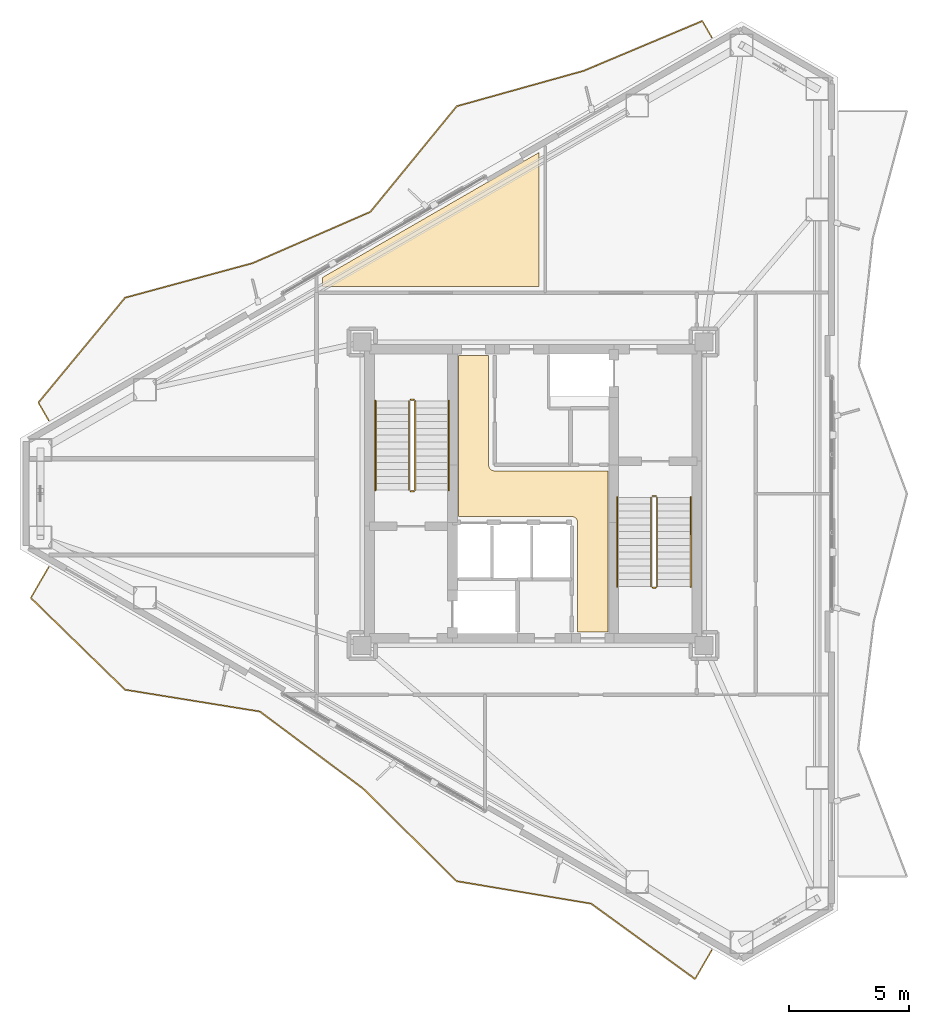
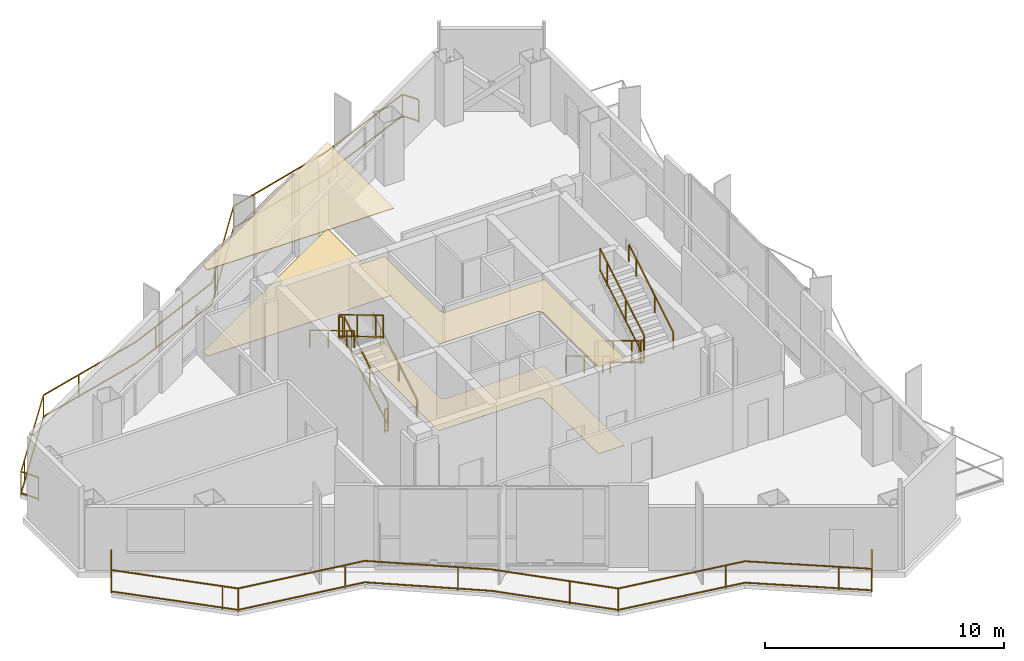
# One storey, part 17 of 18: 14 railings, 4 coverings.
"""IFC4 building model written with IfcOpenShell, lengths in metres."""

from ifc_helpers import new_model, si_unit, direction, frame, origin, origin_2d, place, context, subcontext, project, spatial, polyline, rectangle, outline, extrude, material, layer, layer_set, type_object, element, save


model = new_model("IFC4")

# Units and contexts
model_context = context("Model", 3, precision=1e-05, world=origin(), true_north=direction((0.0, 1.0)))
body_context = subcontext(model_context, "Body", "Model", "MODEL_VIEW")
ifc_project = project(units=[si_unit("LENGTHUNIT", "METRE"), si_unit("AREAUNIT", "SQUARE_METRE"), si_unit("VOLUMEUNIT", "CUBIC_METRE"), si_unit("PLANEANGLEUNIT", "RADIAN"), si_unit("MASSUNIT", "GRAM", prefix="KILO")], contexts=[model_context])

# Site, building, storey
site_placement = place(None, origin())
site = spatial("IfcSite", under=ifc_project, at=site_placement, CompositionType="ELEMENT")
building_placement = place(site_placement, origin())
building = spatial("IfcBuilding", under=site, at=building_placement, Name="Mersakhor Tower and Convention Hall", CompositionType="ELEMENT")
storey_placement = place(building_placement, frame((0.0, 0.0, 170.699951171875)))
storey = spatial("IfcBuildingStorey", under=building, at=storey_placement, Name="L47", CompositionType="ELEMENT", Elevation=170.699951171875)

# Coverings
ifc_material_1 = material(Name="Acoustic mineral-fibre suspended ceiling", Category="other")
ifc_layer_1 = layer(ifc_material_1, 0.02490234375)
ifc_layer_set_1 = layer_set([ifc_layer_1], Name="Acoustic mineral-fibre suspended ceiling")
covering_type_1 = type_object("IfcCoveringType", Name="COV-CLG-25", PredefinedType="CEILING", material=ifc_layer_set_1)
covering_1_placement = place(storey_placement, frame((0.0, 0.0, 4.41015625)))
element("IfcCovering", 1, at=covering_1_placement, inside=storey, type_object=covering_type_1, Name="L47 Central Passenger Lift Lobby Acoustic Suspended Ceiling", PredefinedType="CEILING", context=body_context, shape_type="SweptSolid", body=[
    extrude(outline(polyline([(30.85009765625, 21.0), (30.85009765625, 25.550048828125), (30.848876953125, 25.574462890625), (30.84521484375, 25.598876953125), (30.839111328125, 25.62255859375), (30.8310546875, 25.645751953125), (30.820556640625, 25.667724609375), (30.807861328125, 25.68896484375), (30.793212890625, 25.70849609375), (30.77685546875, 25.726806640625), (30.758544921875, 25.743408203125), (30.739013671875, 25.7578125), (30.7177734375, 25.7705078125), (30.69580078125, 25.781005859375), (30.672607421875, 25.789306640625), (30.648681640625, 25.795166015625), (30.62451171875, 25.798828125), (30.60009765625, 25.800048828125), (25.89990234375, 25.800048828125), (25.89990234375, 32.5), (27.14990234375, 32.5), (27.14990234375, 27.949951171875), (27.151123046875, 27.925537109375), (27.15478515625, 27.901123046875), (27.160888671875, 27.87744140625), (27.1689453125, 27.854248046875), (27.179443359375, 27.832275390625), (27.192138671875, 27.81103515625), (27.206787109375, 27.79150390625), (27.22314453125, 27.773193359375), (27.241455078125, 27.756591796875), (27.260986328125, 27.7421875), (27.2822265625, 27.7294921875), (27.30419921875, 27.718994140625), (27.327392578125, 27.710693359375), (27.351318359375, 27.704833984375), (27.37548828125, 27.701171875), (27.39990234375, 27.699951171875), (32.10009765625, 27.699951171875), (32.10009765625, 21.0), (30.85009765625, 21.0)])), origin(), (0.0, 0.0, 1.0), 0.02490234375),
])
covering_2_placement = place(storey_placement, frame((0.0, 0.0, 4.41015625)))
element("IfcCovering", 2, at=covering_2_placement, inside=storey, type_object=covering_type_1, Name="L47 Zone 3 Community Assembly Hall Acoustic Suspended Ceiling", PredefinedType="CEILING", context=body_context, shape_type="SweptSolid", body=[
    extrude(outline(polyline([(29.25, 35.35009765625), (20.25, 35.35009765625), (20.25, 35.732666015625), (29.25, 40.927978515625), (29.25, 35.35009765625)])), origin(), (0.0, 0.0, 1.0), 0.02490234375),
])
ifc_material_2 = material(Name="Polished porcelain tile flooring", Category="other")
ifc_layer_2 = layer(ifc_material_2, 0.02001953125)
ifc_layer_set_2 = layer_set([ifc_layer_2], Name="Polished porcelain tile flooring")
covering_type_2 = type_object("IfcCoveringType", Name="COV-FLR-20", PredefinedType="FLOORING", material=ifc_layer_set_2)
covering_3_placement = place(storey_placement, origin())
element("IfcCovering", 3, at=covering_3_placement, inside=storey, type_object=covering_type_2, Name="L47 Central Passenger Lift Lobby Porcelain Floor Finish", PredefinedType="FLOORING", context=body_context, shape_type="SweptSolid", body=[
    extrude(outline(polyline([(30.85009765625, 21.0), (30.85009765625, 25.550048828125), (30.848876953125, 25.574462890625), (30.84521484375, 25.598876953125), (30.839111328125, 25.62255859375), (30.8310546875, 25.645751953125), (30.820556640625, 25.667724609375), (30.807861328125, 25.68896484375), (30.793212890625, 25.70849609375), (30.77685546875, 25.726806640625), (30.758544921875, 25.743408203125), (30.739013671875, 25.7578125), (30.7177734375, 25.7705078125), (30.69580078125, 25.781005859375), (30.672607421875, 25.789306640625), (30.648681640625, 25.795166015625), (30.62451171875, 25.798828125), (30.60009765625, 25.800048828125), (25.89990234375, 25.800048828125), (25.89990234375, 32.5), (27.14990234375, 32.5), (27.14990234375, 27.949951171875), (27.151123046875, 27.925537109375), (27.15478515625, 27.901123046875), (27.160888671875, 27.87744140625), (27.1689453125, 27.854248046875), (27.179443359375, 27.832275390625), (27.192138671875, 27.81103515625), (27.206787109375, 27.79150390625), (27.22314453125, 27.773193359375), (27.241455078125, 27.756591796875), (27.260986328125, 27.7421875), (27.2822265625, 27.7294921875), (27.30419921875, 27.718994140625), (27.327392578125, 27.710693359375), (27.351318359375, 27.704833984375), (27.37548828125, 27.701171875), (27.39990234375, 27.699951171875), (32.10009765625, 27.699951171875), (32.10009765625, 21.0), (30.85009765625, 21.0)])), origin(), (0.0, 0.0, 1.0), 0.02001953125),
])
covering_4_placement = place(storey_placement, origin())
element("IfcCovering", 4, at=covering_4_placement, inside=storey, type_object=covering_type_2, Name="L47 Zone 3 Community Assembly Hall Porcelain Floor Finish", PredefinedType="FLOORING", context=body_context, shape_type="SweptSolid", body=[
    extrude(outline(polyline([(29.25, 35.35009765625), (20.25, 35.35009765625), (20.25, 35.732666015625), (29.25, 40.927978515625), (29.25, 35.35009765625)])), origin(), (0.0, 0.0, 1.0), 0.02001953125),
])

# Railings
ifc_material_3 = material(Name="Powder-coated galvanised steel and laminated glass balustrade", Category="steel")
railing_type_1 = type_object("IfcRailingType", Name="RL-BAL-1200", PredefinedType="BALUSTRADE", material=ifc_material_3)
railing_1_placement = place(storey_placement, frame((36.4248046875, 45.705810546875, 0.0)))
element("IfcRailing", 5, at=railing_1_placement, inside=storey, type_object=railing_type_1, Name="L47 Sinusoidal Balcony Balustrade F1", PredefinedType="BALUSTRADE", context=body_context, shape_type="SweptSolid", body=[
    extrude(rectangle(XDim=0.048095703125, YDim=0.048095703125, at=origin_2d()), frame((0.0, 0.0, 1.17578125), z_axis=(-0.499919935369, 0.866071624186, 0.0), x_axis=(-0.866071624186, -0.499919935369, 0.0)), (0.0, 0.0, 1.0), 0.784912109375),
    extrude(rectangle(XDim=0.048095703125, YDim=0.048095703125, at=origin_2d()), frame((0.0, 0.0, 0.080078125), z_axis=(-0.499919935369, 0.866071624186, 0.0), x_axis=(-0.866071624186, -0.499919935369, 0.0)), (0.0, 0.0, 1.0), 0.784912109375),
    extrude(rectangle(XDim=0.048095703125, YDim=0.048095703125, at=origin_2d()), frame((-0.392333984375, 0.6796875, 1.17578125), z_axis=(-0.922079265206, -0.387001070641, 0.0), x_axis=(0.387001070641, -0.922079265206, 0.0)), (0.0, 0.0, 1.0), 5.34521484375),
    extrude(rectangle(XDim=0.048095703125, YDim=0.048095703125, at=origin_2d()), frame((-0.392333984375, 0.6796875, 0.080078125), z_axis=(-0.922079265206, -0.387001070641, 0.0), x_axis=(0.387001070641, -0.922079265206, 0.0)), (0.0, 0.0, 1.0), 5.34521484375),
    extrude(rectangle(XDim=0.048095703125, YDim=0.048095703125, at=origin_2d()), frame((-5.321044921875, -1.388916015625, 1.17578125), z_axis=(-0.96319522735, -0.268802816225, 0.0), x_axis=(0.268802816225, -0.96319522735, 0.0)), (0.0, 0.0, 1.0), 5.474853515625),
    extrude(rectangle(XDim=0.048095703125, YDim=0.048095703125, at=origin_2d()), frame((-5.321044921875, -1.388916015625, 0.080078125), z_axis=(-0.96319522735, -0.268802816225, 0.0), x_axis=(0.268802816225, -0.96319522735, 0.0)), (0.0, 0.0, 1.0), 5.474853515625),
    extrude(rectangle(XDim=0.048095703125, YDim=0.048095703125, at=origin_2d()), frame((-10.594482421875, -2.860595703125, 1.17578125), z_axis=(-0.633087693008, -0.77408008175, 0.0), x_axis=(0.77408008175, -0.633087693008, 0.0)), (0.0, 0.0, 1.0), 5.669189453125),
    extrude(rectangle(XDim=0.048095703125, YDim=0.048095703125, at=origin_2d()), frame((-10.594482421875, -2.860595703125, 0.080078125), z_axis=(-0.633087693008, -0.77408008175, 0.0), x_axis=(0.77408008175, -0.633087693008, 0.0)), (0.0, 0.0, 1.0), 5.669189453125),
    extrude(rectangle(XDim=0.048095703125, YDim=0.048095703125, at=origin_2d()), frame((-14.18359375, -7.2490234375, 1.17578125), z_axis=(-0.916826965755, -0.39928475411, 0.0), x_axis=(0.39928475411, -0.916826965755, 0.0)), (0.0, 0.0, 1.0), 5.336669921875),
    extrude(rectangle(XDim=0.048095703125, YDim=0.048095703125, at=origin_2d()), frame((-14.18359375, -7.2490234375, 0.080078125), z_axis=(-0.916826965755, -0.39928475411, 0.0), x_axis=(0.39928475411, -0.916826965755, 0.0)), (0.0, 0.0, 1.0), 5.336669921875),
    extrude(rectangle(XDim=0.048095703125, YDim=0.048095703125, at=origin_2d()), frame((-19.076416015625, -9.3798828125, 1.17578125), z_axis=(-0.965198993623, -0.261516543853, 0.0), x_axis=(0.261516543853, -0.965198993623, 0.0)), (0.0, 0.0, 1.0), 5.485595703125),
    extrude(rectangle(XDim=0.048095703125, YDim=0.048095703125, at=origin_2d()), frame((-19.076416015625, -9.3798828125, 0.080078125), z_axis=(-0.965198993623, -0.261516543853, 0.0), x_axis=(0.261516543853, -0.965198993623, 0.0)), (0.0, 0.0, 1.0), 5.485595703125),
    extrude(rectangle(XDim=0.048095703125, YDim=0.048095703125, at=origin_2d()), frame((-24.37109375, -10.814453125, 1.17578125), z_axis=(-0.636970638285, -0.770888063186, 0.0), x_axis=(0.770888063186, -0.636970638285, 0.0)), (0.0, 0.0, 1.0), 5.65869140625),
    extrude(rectangle(XDim=0.048095703125, YDim=0.048095703125, at=origin_2d()), frame((-24.37109375, -10.814453125, 0.080078125), z_axis=(-0.636970638285, -0.770888063186, 0.0), x_axis=(0.770888063186, -0.636970638285, 0.0)), (0.0, 0.0, 1.0), 5.65869140625),
    extrude(rectangle(XDim=0.048095703125, YDim=0.048095703125, at=origin_2d()), frame((-27.9755859375, -15.1767578125, 1.17578125), z_axis=(0.499964420222, -0.866045944804, 0.0), x_axis=(0.866045944804, 0.499964420222, 0.0)), (0.0, 0.0, 1.0), 0.84423828125),
    extrude(rectangle(XDim=0.048095703125, YDim=0.048095703125, at=origin_2d()), frame((-27.9755859375, -15.1767578125, 0.080078125), z_axis=(0.499964420222, -0.866045944804, 0.0), x_axis=(0.866045944804, 0.499964420222, 0.0)), (0.0, 0.0, 1.0), 0.84423828125),
    extrude(rectangle(XDim=0.0419921875, YDim=0.0419921875, at=origin_2d()), origin(), (0.0, 0.0, 1.0), 1.15185546875),
    extrude(rectangle(XDim=0.0419921875, YDim=0.0419921875, at=origin_2d()), frame((-0.392333984375, 0.6796875, 0.0)), (0.0, 0.0, 1.0), 1.15185546875),
    extrude(rectangle(XDim=0.0419921875, YDim=0.0419921875, at=origin_2d()), frame((-4.818359375, -1.177978515625, 0.0)), (0.0, 0.0, 1.0), 1.15185546875),
    extrude(rectangle(XDim=0.0419921875, YDim=0.0419921875, at=origin_2d()), frame((-9.419189453125, -2.53271484375, 0.0)), (0.0, 0.0, 1.0), 1.15185546875),
    extrude(rectangle(XDim=0.0419921875, YDim=0.0419921875, at=origin_2d()), frame((-10.594482421875, -2.860595703125, 0.0)), (0.0, 0.0, 1.0), 1.15185546875),
    extrude(rectangle(XDim=0.0419921875, YDim=0.0419921875, at=origin_2d()), frame((-13.63330078125, -6.576171875, 0.0)), (0.0, 0.0, 1.0), 1.15185546875),
    extrude(rectangle(XDim=0.0419921875, YDim=0.0419921875, at=origin_2d()), frame((-17.787353515625, -8.818603515625, 0.0)), (0.0, 0.0, 1.0), 1.15185546875),
    extrude(rectangle(XDim=0.0419921875, YDim=0.0419921875, at=origin_2d()), frame((-22.352294921875, -10.267578125, 0.0)), (0.0, 0.0, 1.0), 1.15185546875),
    extrude(rectangle(XDim=0.0419921875, YDim=0.0419921875, at=origin_2d()), frame((-24.37109375, -10.814453125, 0.0)), (0.0, 0.0, 1.0), 1.15185546875),
    extrude(rectangle(XDim=0.0419921875, YDim=0.0419921875, at=origin_2d()), frame((-27.428466796875, -14.5146484375, 0.0)), (0.0, 0.0, 1.0), 1.15185546875),
    extrude(rectangle(XDim=0.0419921875, YDim=0.0419921875, at=origin_2d()), frame((-27.9755859375, -15.1767578125, 0.0)), (0.0, 0.0, 1.0), 1.15185546875),
    extrude(rectangle(XDim=0.0419921875, YDim=0.0419921875, at=origin_2d()), frame((-27.553466796875, -15.907958984375, 0.0)), (0.0, 0.0, 1.0), 1.15185546875),
])
railing_2_placement = place(storey_placement, frame((8.871337890625, 23.7021484375, 0.0)))
element("IfcRailing", 6, at=railing_2_placement, inside=storey, type_object=railing_type_1, Name="L47 Sinusoidal Balcony Balustrade F3", PredefinedType="BALUSTRADE", context=body_context, shape_type="SweptSolid", body=[
    extrude(rectangle(XDim=0.048095703125, YDim=0.048095703125, at=origin_2d()), frame((0.0, 0.0, 1.17578125), z_axis=(-0.500081384739, -0.865978411185, 0.0), x_axis=(0.865978411185, -0.500081384739, 0.0)), (0.0, 0.0, 1.0), 1.471923828125),
    extrude(rectangle(XDim=0.048095703125, YDim=0.048095703125, at=origin_2d()), frame((0.0, 0.0, 0.080078125), z_axis=(-0.500081384739, -0.865978411185, 0.0), x_axis=(0.865978411185, -0.500081384739, 0.0)), (0.0, 0.0, 1.0), 1.471923828125),
    extrude(rectangle(XDim=0.048095703125, YDim=0.048095703125, at=origin_2d()), frame((-0.736083984375, -1.274658203125, 1.17578125), z_axis=(0.71615066715, -0.697945715611, 0.0), x_axis=(0.697945715611, 0.71615066715, 0.0)), (0.0, 0.0, 1.0), 5.471435546875),
    extrude(rectangle(XDim=0.048095703125, YDim=0.048095703125, at=origin_2d()), frame((-0.736083984375, -1.274658203125, 0.080078125), z_axis=(0.71615066715, -0.697945715611, 0.0), x_axis=(0.697945715611, 0.71615066715, 0.0)), (0.0, 0.0, 1.0), 5.471435546875),
    extrude(rectangle(XDim=0.048095703125, YDim=0.048095703125, at=origin_2d()), frame((3.182373046875, -5.093505859375, 1.17578125), z_axis=(0.987177972105, -0.159623467545, 0.0), x_axis=(0.159623467545, 0.987177972105, 0.0)), (0.0, 0.0, 1.0), 5.6728515625),
    extrude(rectangle(XDim=0.048095703125, YDim=0.048095703125, at=origin_2d()), frame((3.182373046875, -5.093505859375, 0.080078125), z_axis=(0.987177972105, -0.159623467545, 0.0), x_axis=(0.159623467545, 0.987177972105, 0.0)), (0.0, 0.0, 1.0), 5.6728515625),
    extrude(rectangle(XDim=0.048095703125, YDim=0.048095703125, at=origin_2d()), frame((8.782470703125, -5.9990234375, 1.17578125), z_axis=(0.801544645631, -0.597934930457, 0.0), x_axis=(0.597934930457, 0.801544645631, 0.0)), (0.0, 0.0, 1.0), 5.33935546875),
    extrude(rectangle(XDim=0.048095703125, YDim=0.048095703125, at=origin_2d()), frame((8.782470703125, -5.9990234375, 0.080078125), z_axis=(0.801544645631, -0.597934930457, 0.0), x_axis=(0.597934930457, 0.801544645631, 0.0)), (0.0, 0.0, 1.0), 5.33935546875),
    extrude(rectangle(XDim=0.048095703125, YDim=0.048095703125, at=origin_2d()), frame((13.062255859375, -9.191650390625, 1.17578125), z_axis=(0.710837902727, -0.703355867287, 0.0), x_axis=(0.703355867287, 0.710837902727, 0.0)), (0.0, 0.0, 1.0), 5.48193359375),
    extrude(rectangle(XDim=0.048095703125, YDim=0.048095703125, at=origin_2d()), frame((13.062255859375, -9.191650390625, 0.080078125), z_axis=(0.710837902727, -0.703355867287, 0.0), x_axis=(0.703355867287, 0.710837902727, 0.0)), (0.0, 0.0, 1.0), 5.48193359375),
    extrude(rectangle(XDim=0.048095703125, YDim=0.048095703125, at=origin_2d()), frame((16.958984375, -13.04736328125, 1.17578125), z_axis=(0.98637177408, -0.164531830655, 0.0), x_axis=(0.164531830655, 0.98637177408, 0.0)), (0.0, 0.0, 1.0), 5.662353515625),
    extrude(rectangle(XDim=0.048095703125, YDim=0.048095703125, at=origin_2d()), frame((16.958984375, -13.04736328125, 0.080078125), z_axis=(0.98637177408, -0.164531830655, 0.0), x_axis=(0.164531830655, 0.98637177408, 0.0)), (0.0, 0.0, 1.0), 5.662353515625),
    extrude(rectangle(XDim=0.048095703125, YDim=0.048095703125, at=origin_2d()), frame((22.544189453125, -13.97900390625, 1.17578125), z_axis=(0.809535358892, -0.587071122355, 0.0), x_axis=(0.587071122355, 0.809535358892, 0.0)), (0.0, 0.0, 1.0), 5.331298828125),
    extrude(rectangle(XDim=0.048095703125, YDim=0.048095703125, at=origin_2d()), frame((22.544189453125, -13.97900390625, 0.080078125), z_axis=(0.809535358892, -0.587071122355, 0.0), x_axis=(0.587071122355, 0.809535358892, 0.0)), (0.0, 0.0, 1.0), 5.331298828125),
    extrude(rectangle(XDim=0.048095703125, YDim=0.048095703125, at=origin_2d()), frame((26.860107421875, -17.10888671875, 1.17578125), z_axis=(0.500001852011, 0.866024334523, 0.0), x_axis=(-0.866024334523, 0.500001852011, 0.0)), (0.0, 0.0, 1.0), 1.38671875),
    extrude(rectangle(XDim=0.048095703125, YDim=0.048095703125, at=origin_2d()), frame((26.860107421875, -17.10888671875, 0.080078125), z_axis=(0.500001852011, 0.866024334523, 0.0), x_axis=(-0.866024334523, 0.500001852011, 0.0)), (0.0, 0.0, 1.0), 1.38671875),
    extrude(rectangle(XDim=0.0419921875, YDim=0.0419921875, at=origin_2d()), origin(), (0.0, 0.0, 1.0), 1.15185546875),
    extrude(rectangle(XDim=0.0419921875, YDim=0.0419921875, at=origin_2d()), frame((-0.736083984375, -1.274658203125, 0.0)), (0.0, 0.0, 1.0), 1.15185546875),
    extrude(rectangle(XDim=0.0419921875, YDim=0.0419921875, at=origin_2d()), frame((2.701416015625, -4.624755859375, 0.0)), (0.0, 0.0, 1.0), 1.15185546875),
    extrude(rectangle(XDim=0.0419921875, YDim=0.0419921875, at=origin_2d()), frame((3.182373046875, -5.093505859375, 0.0)), (0.0, 0.0, 1.0), 1.15185546875),
    extrude(rectangle(XDim=0.0419921875, YDim=0.0419921875, at=origin_2d()), frame((7.9208984375, -5.859619140625, 0.0)), (0.0, 0.0, 1.0), 1.15185546875),
    extrude(rectangle(XDim=0.0419921875, YDim=0.0419921875, at=origin_2d()), frame((11.93017578125, -8.34716796875, 0.0)), (0.0, 0.0, 1.0), 1.15185546875),
    extrude(rectangle(XDim=0.0419921875, YDim=0.0419921875, at=origin_2d()), frame((15.470458984375, -11.574462890625, 0.0)), (0.0, 0.0, 1.0), 1.15185546875),
    extrude(rectangle(XDim=0.0419921875, YDim=0.0419921875, at=origin_2d()), frame((16.958984375, -13.04736328125, 0.0)), (0.0, 0.0, 1.0), 1.15185546875),
    extrude(rectangle(XDim=0.0419921875, YDim=0.0419921875, at=origin_2d()), frame((21.693603515625, -13.837158203125, 0.0)), (0.0, 0.0, 1.0), 1.15185546875),
    extrude(rectangle(XDim=0.0419921875, YDim=0.0419921875, at=origin_2d()), frame((25.73193359375, -16.290771484375, 0.0)), (0.0, 0.0, 1.0), 1.15185546875),
    extrude(rectangle(XDim=0.0419921875, YDim=0.0419921875, at=origin_2d()), frame((26.860107421875, -17.10888671875, 0.0)), (0.0, 0.0, 1.0), 1.15185546875),
    extrude(rectangle(XDim=0.0419921875, YDim=0.0419921875, at=origin_2d()), frame((27.553466796875, -15.907958984375, 0.0)), (0.0, 0.0, 1.0), 1.15185546875),
])
ifc_material_4 = material(Name="Brushed stainless steel handrail", Category="steel")
railing_type_2 = type_object("IfcRailingType", Name="RL-HR-900", PredefinedType="HANDRAIL", material=ifc_material_4)
railing_3_placement = place(storey_placement, frame((25.5, 26.89990234375, 0.17138671875)))
element("IfcRailing", 7, at=railing_3_placement, inside=storey, type_object=railing_type_2, Name="L47 ST-1 stair handrail 1", PredefinedType="HANDRAIL", context=body_context, shape_type="SweptSolid", body=[
    extrude(rectangle(XDim=0.048095703125, YDim=0.048095703125, at=origin_2d()), frame((0.0, 0.0, 0.8759765625), z_axis=(0.0, 0.856909459561, 0.515466951525), x_axis=(-1.0, 0.0, 0.0)), (0.0, 0.0, 1.0), 4.32373046875),
    extrude(rectangle(XDim=0.0419921875, YDim=0.0419921875, at=origin_2d()), origin(), (0.0, 0.0, 1.0), 0.851806640625),
    extrude(rectangle(XDim=0.0419921875, YDim=0.0419921875, at=origin_2d()), frame((0.0, 1.54248046875, 0.927734375)), (0.0, 0.0, 1.0), 0.851806640625),
    extrude(rectangle(XDim=0.0419921875, YDim=0.0419921875, at=origin_2d()), frame((0.0, 3.0849609375, 1.855712890625)), (0.0, 0.0, 1.0), 0.851806640625),
    extrude(rectangle(XDim=0.0419921875, YDim=0.0419921875, at=origin_2d()), frame((0.0, 3.705078125, 2.228759765625)), (0.0, 0.0, 1.0), 0.851806640625),
])
railing_4_placement = place(storey_placement, frame((22.449951171875, 30.60498046875, 2.571533203125)))
element("IfcRailing", 8, at=railing_4_placement, inside=storey, type_object=railing_type_2, Name="L47 ST-1 stair handrail 2", PredefinedType="HANDRAIL", context=body_context, shape_type="SweptSolid", body=[
    extrude(rectangle(XDim=0.048095703125, YDim=0.048095703125, at=origin_2d()), frame((0.0, 0.0, 0.8759765625), z_axis=(0.0, -0.856934400257, 0.515425487977), x_axis=(1.0, 0.0, 0.0)), (0.0, 0.0, 1.0), 4.32373046875),
    extrude(rectangle(XDim=0.0419921875, YDim=0.0419921875, at=origin_2d()), origin(), (0.0, 0.0, 1.0), 0.851806640625),
    extrude(rectangle(XDim=0.0419921875, YDim=0.0419921875, at=origin_2d()), frame((0.0, -1.54248046875, 0.927734375)), (0.0, 0.0, 1.0), 0.851806640625),
    extrude(rectangle(XDim=0.0419921875, YDim=0.0419921875, at=origin_2d()), frame((0.0, -3.0849609375, 1.85546875)), (0.0, 0.0, 1.0), 0.851806640625),
    extrude(rectangle(XDim=0.0419921875, YDim=0.0419921875, at=origin_2d()), frame((0.0, -3.705078125, 2.228515625)), (0.0, 0.0, 1.0), 0.851806640625),
])
railing_5_placement = place(storey_placement, frame((32.5, 26.60009765625, 0.17138671875)))
element("IfcRailing", 9, at=railing_5_placement, inside=storey, type_object=railing_type_2, Name="L47 ST-2 stair handrail 1", PredefinedType="HANDRAIL", context=body_context, shape_type="SweptSolid", body=[
    extrude(rectangle(XDim=0.048095703125, YDim=0.048095703125, at=origin_2d()), frame((0.0, 0.0, 0.8759765625), z_axis=(0.0, -0.856909459561, 0.515466951525), x_axis=(1.0, 0.0, 0.0)), (0.0, 0.0, 1.0), 4.32373046875),
    extrude(rectangle(XDim=0.0419921875, YDim=0.0419921875, at=origin_2d()), origin(), (0.0, 0.0, 1.0), 0.851806640625),
    extrude(rectangle(XDim=0.0419921875, YDim=0.0419921875, at=origin_2d()), frame((0.0, -1.54248046875, 0.927734375)), (0.0, 0.0, 1.0), 0.851806640625),
    extrude(rectangle(XDim=0.0419921875, YDim=0.0419921875, at=origin_2d()), frame((0.0, -3.0849609375, 1.855712890625)), (0.0, 0.0, 1.0), 0.851806640625),
    extrude(rectangle(XDim=0.0419921875, YDim=0.0419921875, at=origin_2d()), frame((0.0, -3.705078125, 2.228759765625)), (0.0, 0.0, 1.0), 0.851806640625),
])
railing_6_placement = place(storey_placement, frame((35.550048828125, 22.89501953125, 2.571533203125)))
element("IfcRailing", 10, at=railing_6_placement, inside=storey, type_object=railing_type_2, Name="L47 ST-2 stair handrail 2", PredefinedType="HANDRAIL", context=body_context, shape_type="SweptSolid", body=[
    extrude(rectangle(XDim=0.048095703125, YDim=0.048095703125, at=origin_2d()), frame((0.0, 0.0, 0.8759765625), z_axis=(0.0, 0.856934400257, 0.515425487977), x_axis=(-1.0, 0.0, 0.0)), (0.0, 0.0, 1.0), 4.32373046875),
    extrude(rectangle(XDim=0.0419921875, YDim=0.0419921875, at=origin_2d()), origin(), (0.0, 0.0, 1.0), 0.851806640625),
    extrude(rectangle(XDim=0.0419921875, YDim=0.0419921875, at=origin_2d()), frame((0.0, 1.54248046875, 0.927734375)), (0.0, 0.0, 1.0), 0.851806640625),
    extrude(rectangle(XDim=0.0419921875, YDim=0.0419921875, at=origin_2d()), frame((0.0, 3.0849609375, 1.85546875)), (0.0, 0.0, 1.0), 0.851806640625),
    extrude(rectangle(XDim=0.0419921875, YDim=0.0419921875, at=origin_2d()), frame((0.0, 3.705078125, 2.228515625)), (0.0, 0.0, 1.0), 0.851806640625),
])
ifc_material_5 = material(Name="Painted steel stair balustrade S355", Category="steel")
railing_type_3 = type_object("IfcRailingType", Name="RL-STG-1200", PredefinedType="BALUSTRADE", material=ifc_material_5)
railing_7_placement = place(storey_placement, frame((24.10009765625, 26.89990234375, 0.17138671875)))
element("IfcRailing", 11, at=railing_7_placement, inside=storey, type_object=railing_type_3, Name="L47 ST-1 stair guard 1", PredefinedType="BALUSTRADE", context=body_context, shape_type="SweptSolid", body=[
    extrude(rectangle(XDim=0.048095703125, YDim=0.048095703125, at=origin_2d()), frame((0.0, 0.0, 1.17578125), z_axis=(0.0, 0.856909459561, 0.515466951525), x_axis=(-1.0, 0.0, 0.0)), (0.0, 0.0, 1.0), 4.32373046875),
    extrude(rectangle(XDim=0.048095703125, YDim=0.048095703125, at=origin_2d()), frame((0.0, 0.0, 0.080078125), z_axis=(0.0, 0.856909459561, 0.515466951525), x_axis=(-1.0, 0.0, 0.0)), (0.0, 0.0, 1.0), 4.32373046875),
    extrude(rectangle(XDim=0.0419921875, YDim=0.0419921875, at=origin_2d()), origin(), (0.0, 0.0, 1.0), 1.15185546875),
    extrude(rectangle(XDim=0.0419921875, YDim=0.0419921875, at=origin_2d()), frame((0.0, 1.54248046875, 0.927734375)), (0.0, 0.0, 1.0), 1.15185546875),
    extrude(rectangle(XDim=0.0419921875, YDim=0.0419921875, at=origin_2d()), frame((0.0, 3.0849609375, 1.855712890625)), (0.0, 0.0, 1.0), 1.15185546875),
    extrude(rectangle(XDim=0.0419921875, YDim=0.0419921875, at=origin_2d()), frame((0.0, 3.705078125, 2.228759765625)), (0.0, 0.0, 1.0), 1.15185546875),
])
railing_8_placement = place(storey_placement, frame((24.050048828125, 30.655029296875, 2.400146484375)))
element("IfcRailing", 12, at=railing_8_placement, inside=storey, type_object=railing_type_3, Name="L47 ST-1 stair guard 2", PredefinedType="BALUSTRADE", context=body_context, shape_type="SweptSolid", body=[
    extrude(rectangle(XDim=0.048095703125, YDim=0.048095703125, at=origin_2d()), frame((0.0, 0.0, 1.17578125), z_axis=(-1.0, 0.0, 0.0), x_axis=(0.0, -1.0, 0.0)), (0.0, 0.0, 1.0), 0.150146484375),
    extrude(rectangle(XDim=0.048095703125, YDim=0.048095703125, at=origin_2d()), frame((0.0, 0.0, 0.080078125), z_axis=(-1.0, 0.0, 0.0), x_axis=(0.0, -1.0, 0.0)), (0.0, 0.0, 1.0), 0.150146484375),
    extrude(rectangle(XDim=0.0419921875, YDim=0.0419921875, at=origin_2d()), origin(), (0.0, 0.0, 1.0), 1.15185546875),
    extrude(rectangle(XDim=0.0419921875, YDim=0.0419921875, at=origin_2d()), frame((-0.150146484375, 0.0, 0.0)), (0.0, 0.0, 1.0), 1.15185546875),
])
railing_9_placement = place(storey_placement, frame((23.85009765625, 30.60498046875, 2.571533203125)))
element("IfcRailing", 13, at=railing_9_placement, inside=storey, type_object=railing_type_3, Name="L47 ST-1 stair guard 3", PredefinedType="BALUSTRADE", context=body_context, shape_type="SweptSolid", body=[
    extrude(rectangle(XDim=0.048095703125, YDim=0.048095703125, at=origin_2d()), frame((0.0, 0.0, 1.17578125), z_axis=(0.0, -0.856934400257, 0.515425487977), x_axis=(1.0, 0.0, 0.0)), (0.0, 0.0, 1.0), 4.32373046875),
    extrude(rectangle(XDim=0.048095703125, YDim=0.048095703125, at=origin_2d()), frame((0.0, 0.0, 0.080078125), z_axis=(0.0, -0.856934400257, 0.515425487977), x_axis=(1.0, 0.0, 0.0)), (0.0, 0.0, 1.0), 4.32373046875),
    extrude(rectangle(XDim=0.0419921875, YDim=0.0419921875, at=origin_2d()), origin(), (0.0, 0.0, 1.0), 1.15185546875),
    extrude(rectangle(XDim=0.0419921875, YDim=0.0419921875, at=origin_2d()), frame((0.0, -1.54248046875, 0.927734375)), (0.0, 0.0, 1.0), 1.15185546875),
    extrude(rectangle(XDim=0.0419921875, YDim=0.0419921875, at=origin_2d()), frame((0.0, -3.0849609375, 1.85546875)), (0.0, 0.0, 1.0), 1.15185546875),
    extrude(rectangle(XDim=0.0419921875, YDim=0.0419921875, at=origin_2d()), frame((0.0, -3.705078125, 2.228515625)), (0.0, 0.0, 1.0), 1.15185546875),
])
railing_10_placement = place(storey_placement, frame((24.050048828125, 26.85009765625, 0.0)))
element("IfcRailing", 14, at=railing_10_placement, inside=storey, type_object=railing_type_3, Name="L47 ST-1 stair guard 4", PredefinedType="BALUSTRADE", context=body_context, shape_type="SweptSolid", body=[
    extrude(rectangle(XDim=0.048095703125, YDim=0.048095703125, at=origin_2d()), frame((0.0, 0.0, 1.17578125), z_axis=(-1.0, 0.0, 0.0), x_axis=(0.0, -1.0, 0.0)), (0.0, 0.0, 1.0), 0.150146484375),
    extrude(rectangle(XDim=0.048095703125, YDim=0.048095703125, at=origin_2d()), frame((0.0, 0.0, 0.080078125), z_axis=(-1.0, 0.0, 0.0), x_axis=(0.0, -1.0, 0.0)), (0.0, 0.0, 1.0), 0.150146484375),
    extrude(rectangle(XDim=0.0419921875, YDim=0.0419921875, at=origin_2d()), origin(), (0.0, 0.0, 1.0), 1.15185546875),
    extrude(rectangle(XDim=0.0419921875, YDim=0.0419921875, at=origin_2d()), frame((-0.150146484375, 0.0, 0.0)), (0.0, 0.0, 1.0), 1.15185546875),
])
railing_11_placement = place(storey_placement, frame((33.89990234375, 26.60009765625, 0.17138671875)))
element("IfcRailing", 15, at=railing_11_placement, inside=storey, type_object=railing_type_3, Name="L47 ST-2 stair guard 1", PredefinedType="BALUSTRADE", context=body_context, shape_type="SweptSolid", body=[
    extrude(rectangle(XDim=0.048095703125, YDim=0.048095703125, at=origin_2d()), frame((0.0, 0.0, 1.17578125), z_axis=(0.0, -0.856909459561, 0.515466951525), x_axis=(1.0, 0.0, 0.0)), (0.0, 0.0, 1.0), 4.32373046875),
    extrude(rectangle(XDim=0.048095703125, YDim=0.048095703125, at=origin_2d()), frame((0.0, 0.0, 0.080078125), z_axis=(0.0, -0.856909459561, 0.515466951525), x_axis=(1.0, 0.0, 0.0)), (0.0, 0.0, 1.0), 4.32373046875),
    extrude(rectangle(XDim=0.0419921875, YDim=0.0419921875, at=origin_2d()), origin(), (0.0, 0.0, 1.0), 1.15185546875),
    extrude(rectangle(XDim=0.0419921875, YDim=0.0419921875, at=origin_2d()), frame((0.0, -1.54248046875, 0.927734375)), (0.0, 0.0, 1.0), 1.15185546875),
    extrude(rectangle(XDim=0.0419921875, YDim=0.0419921875, at=origin_2d()), frame((0.0, -3.0849609375, 1.855712890625)), (0.0, 0.0, 1.0), 1.15185546875),
    extrude(rectangle(XDim=0.0419921875, YDim=0.0419921875, at=origin_2d()), frame((0.0, -3.705078125, 2.228759765625)), (0.0, 0.0, 1.0), 1.15185546875),
])
railing_12_placement = place(storey_placement, frame((33.949951171875, 22.844970703125, 2.400146484375)))
element("IfcRailing", 16, at=railing_12_placement, inside=storey, type_object=railing_type_3, Name="L47 ST-2 stair guard 2", PredefinedType="BALUSTRADE", context=body_context, shape_type="SweptSolid", body=[
    extrude(rectangle(XDim=0.048095703125, YDim=0.048095703125, at=origin_2d()), frame((0.0, 0.0, 1.17578125), z_axis=(1.0, 0.0, 0.0), x_axis=(0.0, 1.0, 0.0)), (0.0, 0.0, 1.0), 0.150146484375),
    extrude(rectangle(XDim=0.048095703125, YDim=0.048095703125, at=origin_2d()), frame((0.0, 0.0, 0.080078125), z_axis=(1.0, 0.0, 0.0), x_axis=(0.0, 1.0, 0.0)), (0.0, 0.0, 1.0), 0.150146484375),
    extrude(rectangle(XDim=0.0419921875, YDim=0.0419921875, at=origin_2d()), origin(), (0.0, 0.0, 1.0), 1.15185546875),
    extrude(rectangle(XDim=0.0419921875, YDim=0.0419921875, at=origin_2d()), frame((0.150146484375, 0.0, 0.0)), (0.0, 0.0, 1.0), 1.15185546875),
])
railing_13_placement = place(storey_placement, frame((34.14990234375, 22.89501953125, 2.571533203125)))
element("IfcRailing", 17, at=railing_13_placement, inside=storey, type_object=railing_type_3, Name="L47 ST-2 stair guard 3", PredefinedType="BALUSTRADE", context=body_context, shape_type="SweptSolid", body=[
    extrude(rectangle(XDim=0.048095703125, YDim=0.048095703125, at=origin_2d()), frame((0.0, 0.0, 1.17578125), z_axis=(0.0, 0.856934400257, 0.515425487977), x_axis=(-1.0, 0.0, 0.0)), (0.0, 0.0, 1.0), 4.32373046875),
    extrude(rectangle(XDim=0.048095703125, YDim=0.048095703125, at=origin_2d()), frame((0.0, 0.0, 0.080078125), z_axis=(0.0, 0.856934400257, 0.515425487977), x_axis=(-1.0, 0.0, 0.0)), (0.0, 0.0, 1.0), 4.32373046875),
    extrude(rectangle(XDim=0.0419921875, YDim=0.0419921875, at=origin_2d()), origin(), (0.0, 0.0, 1.0), 1.15185546875),
    extrude(rectangle(XDim=0.0419921875, YDim=0.0419921875, at=origin_2d()), frame((0.0, 1.54248046875, 0.927734375)), (0.0, 0.0, 1.0), 1.15185546875),
    extrude(rectangle(XDim=0.0419921875, YDim=0.0419921875, at=origin_2d()), frame((0.0, 3.0849609375, 1.85546875)), (0.0, 0.0, 1.0), 1.15185546875),
    extrude(rectangle(XDim=0.0419921875, YDim=0.0419921875, at=origin_2d()), frame((0.0, 3.705078125, 2.228515625)), (0.0, 0.0, 1.0), 1.15185546875),
])
railing_14_placement = place(storey_placement, frame((33.949951171875, 26.64990234375, 0.0)))
element("IfcRailing", 18, at=railing_14_placement, inside=storey, type_object=railing_type_3, Name="L47 ST-2 stair guard 4", PredefinedType="BALUSTRADE", context=body_context, shape_type="SweptSolid", body=[
    extrude(rectangle(XDim=0.048095703125, YDim=0.048095703125, at=origin_2d()), frame((0.0, 0.0, 1.17578125), z_axis=(1.0, 0.0, 0.0), x_axis=(0.0, 1.0, 0.0)), (0.0, 0.0, 1.0), 0.150146484375),
    extrude(rectangle(XDim=0.048095703125, YDim=0.048095703125, at=origin_2d()), frame((0.0, 0.0, 0.080078125), z_axis=(1.0, 0.0, 0.0), x_axis=(0.0, 1.0, 0.0)), (0.0, 0.0, 1.0), 0.150146484375),
    extrude(rectangle(XDim=0.0419921875, YDim=0.0419921875, at=origin_2d()), origin(), (0.0, 0.0, 1.0), 1.15185546875),
    extrude(rectangle(XDim=0.0419921875, YDim=0.0419921875, at=origin_2d()), frame((0.150146484375, 0.0, 0.0)), (0.0, 0.0, 1.0), 1.15185546875),
])

save(model, "model.ifc")
